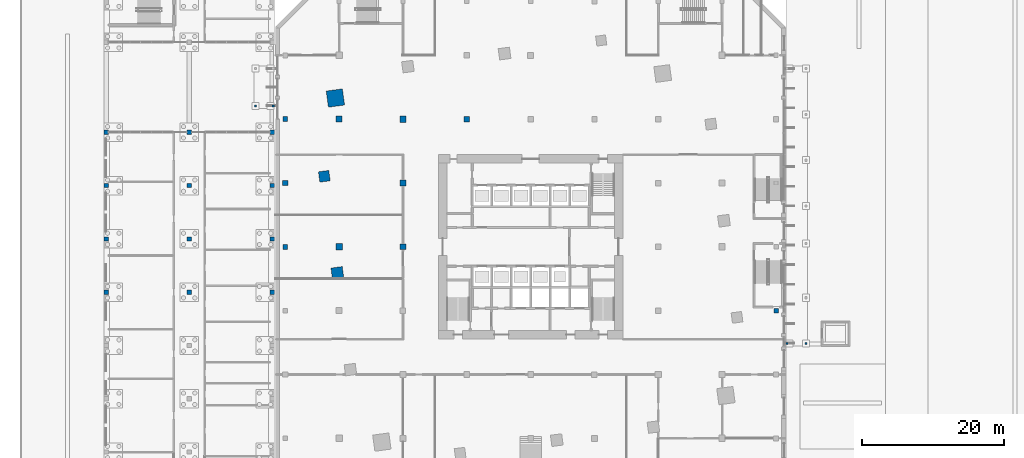
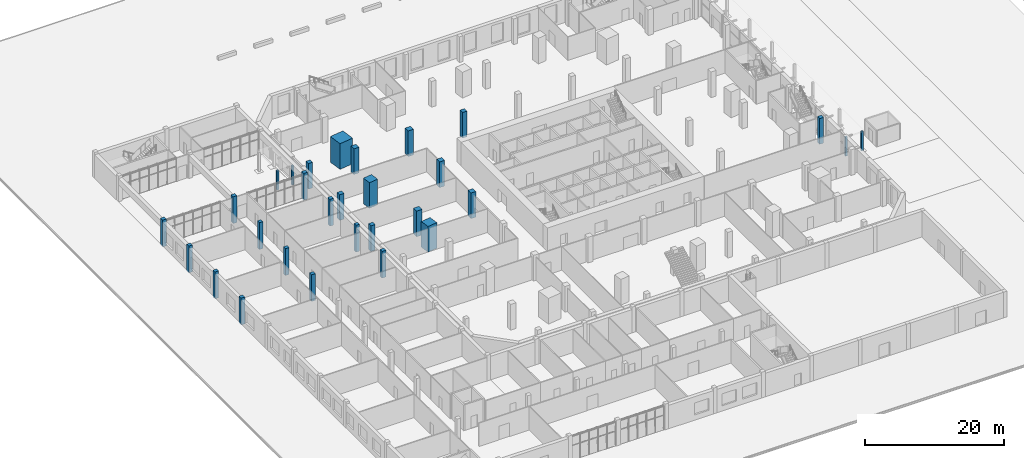
# One storey, part 5 of 42: 29 columns.
"""IFC4 building model written with IfcOpenShell, lengths in metres."""

from ifc_helpers import new_model, si_unit, direction, frame, origin, origin_2d, place, context, subcontext, project, spatial, rectangle, extrude, material, material_profile, profile_set, type_object, element, save


model = new_model("IFC4")

# Units and contexts
model_context = context("Model", 3, precision=1e-05, world=origin(), true_north=direction((0.0, 1.0)))
body_context = subcontext(model_context, "Body", "Model", "MODEL_VIEW")
ifc_project = project(units=[si_unit("LENGTHUNIT", "METRE"), si_unit("AREAUNIT", "SQUARE_METRE"), si_unit("VOLUMEUNIT", "CUBIC_METRE"), si_unit("PLANEANGLEUNIT", "RADIAN"), si_unit("MASSUNIT", "GRAM", prefix="KILO")], contexts=[model_context])

# Site, building, storey
site_placement = place(None, origin())
site = spatial("IfcSite", under=ifc_project, at=site_placement, CompositionType="ELEMENT")
building_placement = place(site_placement, origin())
building = spatial("IfcBuilding", under=site, at=building_placement, Name="Dilmun Exchange Tower", CompositionType="ELEMENT")
storey_placement = place(building_placement, origin())
storey = spatial("IfcBuildingStorey", under=building, at=storey_placement, Name="L00", CompositionType="ELEMENT", Elevation=0.0)

# Columns
ifc_material_1 = material(Name="Concrete C40/50", Category="concrete")
ifc_material_profile_1 = material_profile(ifc_material_1, rectangle(XDim=0.300048828125, YDim=0.300048828125, at=origin_2d()), Name="300 x 300")
ifc_profile_set_1 = profile_set([ifc_material_profile_1], Name="Concrete C40/50")
column_type_1 = type_object("IfcColumnType", Name="Canopy column 300 x 300 C40/50", PredefinedType="COLUMN", material=ifc_profile_set_1)
for number, where, z_axis, x_axis, name in (
    (1, (38.800048828125, -13.64990234375, 0.0), (0.0, 0.0, 1.0), (0.0, 1.0, 0.0), "Canopy column 3.1"),
    (2, (36.14990234375, -13.64990234375, 0.0), (0.0, 0.0, 1.0), (0.0, 1.0, 0.0), "Canopy column 3.8"),
    (3, (-38.800048828125, 19.85009765625, 0.0), (0.0, 0.0, 1.0), (0.0, -1.0, 0.0), "Canopy column 7.2"),
    (4, (-36.300048828125, 19.85009765625, 0.0), (0.0, 0.0, 1.0), (0.0, -1.0, 0.0), "Canopy column 7.4"),
):
    element("IfcColumn", number, at=place(storey_placement, frame(where, z_axis=z_axis, x_axis=x_axis)), inside=storey, type_object=column_type_1, Name=name, PredefinedType="COLUMN", context=body_context, shape_type="SweptSolid", body=[
        extrude(rectangle(XDim=0.300048828125, YDim=0.300048828125, at=origin_2d()), origin(), (0.0, 0.0, 1.0), 3.35009765625),
    ])
ifc_material_2 = material(Name="Concrete C80/95", Category="concrete")
ifc_material_profile_2 = material_profile(ifc_material_2, rectangle(XDim=2.300048828125, YDim=2.300048828125, at=origin_2d()), Name="2300 x 2300")
ifc_profile_set_2 = profile_set([ifc_material_profile_2], Name="Concrete C80/95")
column_type_2 = type_object("IfcColumnType", Name="RC mega column 2300 x 2300 C80/95", PredefinedType="COLUMN", material=ifc_profile_set_2)
column_1_placement = place(storey_placement, frame((-27.531005859375, 20.97900390625, 0.0), z_axis=(0.0, 0.0, 1.0), x_axis=(0.991001197216, 0.133853005627, 0.0)))
element("IfcColumn", 5, at=column_1_placement, inside=storey, type_object=column_type_2, Name="Mega column M2", PredefinedType="COLUMN", context=body_context, shape_type="SweptSolid", body=[
    extrude(rectangle(XDim=2.300048828125, YDim=2.300048828125, at=origin_2d()), origin(), (0.0, 0.0, 1.0), 4.5),
])
ifc_material_3 = material(Name="Concrete C60/75", Category="concrete")
ifc_material_profile_3 = material_profile(ifc_material_3, rectangle(XDim=0.625, YDim=0.625, at=origin_2d()), Name="625 x 625")
ifc_profile_set_3 = profile_set([ifc_material_profile_3], Name="Concrete C60/75")
column_type_3 = type_object("IfcColumnType", Name="RC podium column 625 x 625 C60/75", PredefinedType="COLUMN", material=ifc_profile_set_3)
column_2_placement = place(storey_placement, frame((34.60009765625, -9.0, 0.0), z_axis=(0.0, 0.0, 1.0), x_axis=(1.0, 0.0, 0.0)))
element("IfcColumn", 6, at=column_2_placement, inside=storey, type_object=column_type_3, Name="Podium column 13H", PredefinedType="COLUMN", context=body_context, shape_type="SweptSolid", body=[
    extrude(rectangle(XDim=0.625, YDim=0.625, at=origin_2d()), origin(), (0.0, 0.0, 1.0), 4.5),
])
ifc_material_profile_4 = material_profile(ifc_material_3, rectangle(XDim=0.699951171875, YDim=0.699951171875, at=origin_2d()), Name="700 x 700")
ifc_profile_set_4 = profile_set([ifc_material_profile_4], Name="Concrete C60/75")
column_type_4 = type_object("IfcColumnType", Name="RC podium column 700 x 700 C60/75", PredefinedType="COLUMN", material=ifc_profile_set_4)
for number, where, z_axis, x_axis, name in (
    (7, (-34.60009765625, 0.0, 0.0), (0.0, 0.0, 1.0), (1.0, 0.0, 0.0), "Podium column 5J"),
    (8, (-34.60009765625, 18.0, 0.0), (0.0, 0.0, 1.0), (1.0, 0.0, 0.0), "Podium column 5L"),
):
    element("IfcColumn", number, at=place(storey_placement, frame(where, z_axis=z_axis, x_axis=x_axis)), inside=storey, type_object=column_type_4, Name=name, PredefinedType="COLUMN", context=body_context, shape_type="SweptSolid", body=[
        extrude(rectangle(XDim=0.699951171875, YDim=0.699951171875, at=origin_2d()), origin(), (0.0, 0.0, 1.0), 4.5),
    ])
ifc_material_profile_5 = material_profile(ifc_material_3, rectangle(XDim=0.72509765625, YDim=0.72509765625, at=origin_2d()), Name="725 x 725")
ifc_profile_set_5 = profile_set([ifc_material_profile_5], Name="Concrete C60/75")
column_type_5 = type_object("IfcColumnType", Name="RC podium column 725 x 725 C60/75", PredefinedType="COLUMN", material=ifc_profile_set_5)
for number, where, z_axis, x_axis, name in (
    (9, (-34.60009765625, 9.0, 0.0), (0.0, 0.0, 1.0), (1.0, 0.0, 0.0), "Podium column 5K"),
    (10, (-9.0, 18.0, 0.0), (0.0, 0.0, 1.0), (1.0, 0.0, 0.0), "Podium column 8L"),
):
    element("IfcColumn", number, at=place(storey_placement, frame(where, z_axis=z_axis, x_axis=x_axis)), inside=storey, type_object=column_type_5, Name=name, PredefinedType="COLUMN", context=body_context, shape_type="SweptSolid", body=[
        extrude(rectangle(XDim=0.72509765625, YDim=0.72509765625, at=origin_2d()), origin(), (0.0, 0.0, 1.0), 4.5),
    ])
ifc_material_profile_6 = material_profile(ifc_material_3, rectangle(XDim=0.800048828125, YDim=0.800048828125, at=origin_2d()), Name="800 x 800")
ifc_profile_set_6 = profile_set([ifc_material_profile_6], Name="Concrete C60/75")
column_type_6 = type_object("IfcColumnType", Name="RC podium column 800 x 800 C60/75", PredefinedType="COLUMN", material=ifc_profile_set_6)
column_3_placement = place(storey_placement, frame((-18.0, 0.0, 0.0), z_axis=(0.0, 0.0, 1.0), x_axis=(1.0, 0.0, 0.0)))
element("IfcColumn", 11, at=column_3_placement, inside=storey, type_object=column_type_6, Name="Podium column 7J", PredefinedType="COLUMN", context=body_context, shape_type="SweptSolid", body=[
    extrude(rectangle(XDim=0.800048828125, YDim=0.800048828125, at=origin_2d()), origin(), (0.0, 0.0, 1.0), 4.5),
])
ifc_material_profile_7 = material_profile(ifc_material_3, rectangle(XDim=0.824951171875, YDim=0.824951171875, at=origin_2d()), Name="825 x 825")
ifc_profile_set_7 = profile_set([ifc_material_profile_7], Name="Concrete C60/75")
column_type_7 = type_object("IfcColumnType", Name="RC podium column 825 x 825 C60/75", PredefinedType="COLUMN", material=ifc_profile_set_7)
column_4_placement = place(storey_placement, frame((-18.0, 9.0, 0.0), z_axis=(0.0, 0.0, 1.0), x_axis=(1.0, 0.0, 0.0)))
element("IfcColumn", 12, at=column_4_placement, inside=storey, type_object=column_type_7, Name="Podium column 7K", PredefinedType="COLUMN", context=body_context, shape_type="SweptSolid", body=[
    extrude(rectangle(XDim=0.824951171875, YDim=0.824951171875, at=origin_2d()), origin(), (0.0, 0.0, 1.0), 4.5),
])
ifc_material_profile_8 = material_profile(ifc_material_3, rectangle(XDim=0.85009765625, YDim=0.85009765625, at=origin_2d()), Name="850 x 850")
ifc_profile_set_8 = profile_set([ifc_material_profile_8], Name="Concrete C60/75")
column_type_8 = type_object("IfcColumnType", Name="RC podium column 850 x 850 C60/75", PredefinedType="COLUMN", material=ifc_profile_set_8)
column_5_placement = place(storey_placement, frame((-27.0, 18.0, 0.0), z_axis=(0.0, 0.0, 1.0), x_axis=(1.0, 0.0, 0.0)))
element("IfcColumn", 13, at=column_5_placement, inside=storey, type_object=column_type_8, Name="Podium column 6L", PredefinedType="COLUMN", context=body_context, shape_type="SweptSolid", body=[
    extrude(rectangle(XDim=0.85009765625, YDim=0.85009765625, at=origin_2d()), origin(), (0.0, 0.0, 1.0), 4.5),
])
ifc_material_profile_9 = material_profile(ifc_material_3, rectangle(XDim=0.875, YDim=0.875, at=origin_2d()), Name="875 x 875")
ifc_profile_set_9 = profile_set([ifc_material_profile_9], Name="Concrete C60/75")
column_type_9 = type_object("IfcColumnType", Name="RC podium column 875 x 875 C60/75", PredefinedType="COLUMN", material=ifc_profile_set_9)
column_6_placement = place(storey_placement, frame((-18.0, 18.0, 0.0), z_axis=(0.0, 0.0, 1.0), x_axis=(1.0, 0.0, 0.0)))
element("IfcColumn", 14, at=column_6_placement, inside=storey, type_object=column_type_9, Name="Podium column 7L", PredefinedType="COLUMN", context=body_context, shape_type="SweptSolid", body=[
    extrude(rectangle(XDim=0.875, YDim=0.875, at=origin_2d()), origin(), (0.0, 0.0, 1.0), 4.5),
])
ifc_material_profile_10 = material_profile(ifc_material_3, rectangle(XDim=0.89990234375, YDim=0.89990234375, at=origin_2d()), Name="900 x 900")
ifc_profile_set_10 = profile_set([ifc_material_profile_10], Name="Concrete C60/75")
column_type_10 = type_object("IfcColumnType", Name="RC podium column 900 x 900 C60/75", PredefinedType="COLUMN", material=ifc_profile_set_10)
column_7_placement = place(storey_placement, frame((-27.0, 0.0, 0.0), z_axis=(0.0, 0.0, 1.0), x_axis=(1.0, 0.0, 0.0)))
element("IfcColumn", 15, at=column_7_placement, inside=storey, type_object=column_type_10, Name="Podium column 6J", PredefinedType="COLUMN", context=body_context, shape_type="SweptSolid", body=[
    extrude(rectangle(XDim=0.89990234375, YDim=0.89990234375, at=origin_2d()), origin(), (0.0, 0.0, 1.0), 4.5),
])
ifc_material_profile_11 = material_profile(ifc_material_2, rectangle(XDim=1.47509765625, YDim=1.47509765625, at=origin_2d()), Name="1475 x 1475")
ifc_profile_set_11 = profile_set([ifc_material_profile_11], Name="Concrete C80/95")
column_type_11 = type_object("IfcColumnType", Name="RC ring column 1475 x 1475 C80/95", PredefinedType="COLUMN", material=ifc_profile_set_11)
column_8_placement = place(storey_placement, frame((-29.093017578125, 9.945068359375, 0.0), z_axis=(0.0, 0.0, 1.0), x_axis=(0.991001197216, 0.133853005627, 0.0)))
element("IfcColumn", 16, at=column_8_placement, inside=storey, type_object=column_type_11, Name="Ring column R04", PredefinedType="COLUMN", context=body_context, shape_type="SweptSolid", body=[
    extrude(rectangle(XDim=1.47509765625, YDim=1.47509765625, at=origin_2d()), origin(), (0.0, 0.0, 1.0), 4.5),
])
ifc_material_profile_12 = material_profile(ifc_material_2, rectangle(XDim=1.60009765625, YDim=1.60009765625, at=origin_2d()), Name="1600 x 1600")
ifc_profile_set_12 = profile_set([ifc_material_profile_12], Name="Concrete C80/95")
column_type_12 = type_object("IfcColumnType", Name="RC ring column 1600 x 1600 C80/95", PredefinedType="COLUMN", material=ifc_profile_set_12)
column_9_placement = place(storey_placement, frame((-27.2529296875, -3.680908203125, 0.0), z_axis=(0.0, 0.0, 1.0), x_axis=(0.991001197216, 0.133853005627, 0.0)))
element("IfcColumn", 17, at=column_9_placement, inside=storey, type_object=column_type_12, Name="Ring column R05", PredefinedType="COLUMN", context=body_context, shape_type="SweptSolid", body=[
    extrude(rectangle(XDim=1.60009765625, YDim=1.60009765625, at=origin_2d()), origin(), (0.0, 0.0, 1.0), 4.5),
])
ifc_material_profile_13 = material_profile(ifc_material_1, rectangle(XDim=0.60009765625, YDim=0.60009765625, at=origin_2d()), Name="600 x 600")
ifc_profile_set_13 = profile_set([ifc_material_profile_13], Name="Concrete C40/50")
column_type_13 = type_object("IfcColumnType", Name="School column 600 x 600 C40/50", PredefinedType="COLUMN", material=ifc_profile_set_13)
for number, where, z_axis, x_axis, name in (
    (18, (-59.85009765625, -6.39306640625, -0.199951171875), (0.0, 0.0, 1.0), (1.0, 0.0, 0.0), "School column X01Y07"),
    (19, (-59.85009765625, 1.12109375, -0.199951171875), (0.0, 0.0, 1.0), (1.0, 0.0, 0.0), "School column X01Y08"),
    (20, (-59.85009765625, 8.635986328125, -0.199951171875), (0.0, 0.0, 1.0), (1.0, 0.0, 0.0), "School column X01Y09"),
    (21, (-59.85009765625, 16.14990234375, -0.199951171875), (0.0, 0.0, 1.0), (1.0, 0.0, 0.0), "School column X01Y10"),
    (22, (-48.14990234375, -6.39306640625, -0.199951171875), (0.0, 0.0, 1.0), (1.0, 0.0, 0.0), "School column X02Y07"),
    (23, (-48.14990234375, 1.12109375, -0.199951171875), (0.0, 0.0, 1.0), (1.0, 0.0, 0.0), "School column X02Y08"),
    (24, (-48.14990234375, 8.635986328125, -0.199951171875), (0.0, 0.0, 1.0), (1.0, 0.0, 0.0), "School column X02Y09"),
    (25, (-48.14990234375, 16.14990234375, -0.199951171875), (0.0, 0.0, 1.0), (1.0, 0.0, 0.0), "School column X02Y10"),
    (26, (-36.449951171875, -6.39306640625, -0.199951171875), (0.0, 0.0, 1.0), (1.0, 0.0, 0.0), "School column X03Y07"),
    (27, (-36.449951171875, 1.12109375, -0.199951171875), (0.0, 0.0, 1.0), (1.0, 0.0, 0.0), "School column X03Y08"),
    (28, (-36.449951171875, 8.635986328125, -0.199951171875), (0.0, 0.0, 1.0), (1.0, 0.0, 0.0), "School column X03Y09"),
    (29, (-36.449951171875, 16.14990234375, -0.199951171875), (0.0, 0.0, 1.0), (1.0, 0.0, 0.0), "School column X03Y10"),
):
    element("IfcColumn", number, at=place(storey_placement, frame(where, z_axis=z_axis, x_axis=x_axis)), inside=storey, type_object=column_type_13, Name=name, PredefinedType="COLUMN", context=body_context, shape_type="SweptSolid", body=[
        extrude(rectangle(XDim=0.60009765625, YDim=0.60009765625, at=origin_2d()), origin(), (0.0, 0.0, 1.0), 4.699951171875),
    ])

save(model, "model.ifc")
